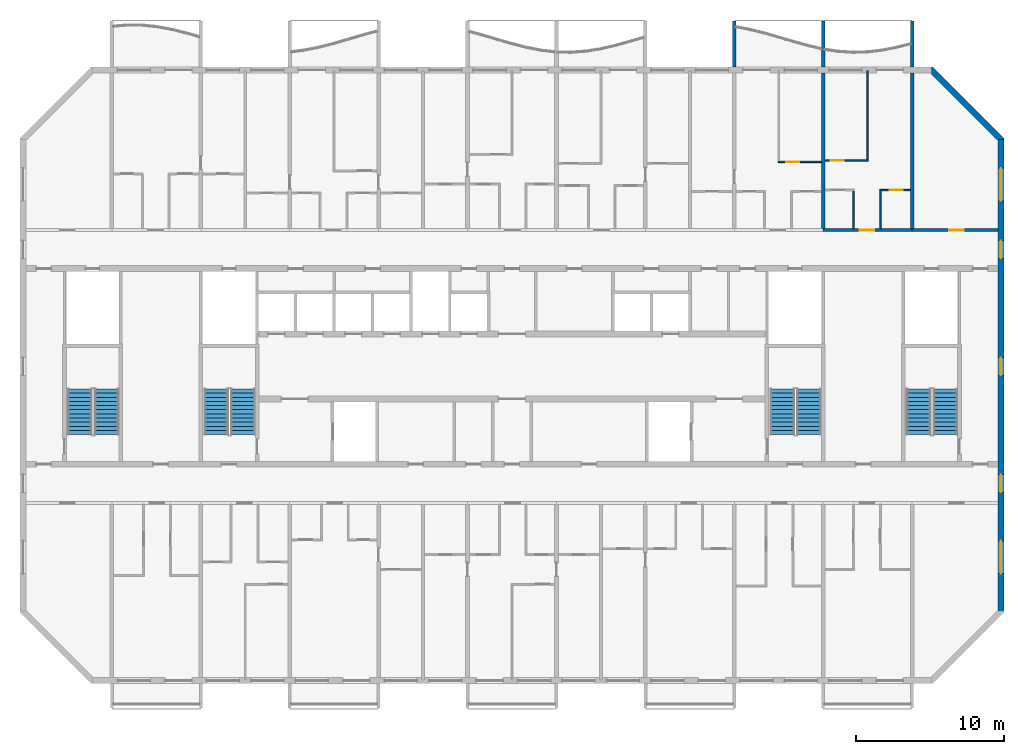
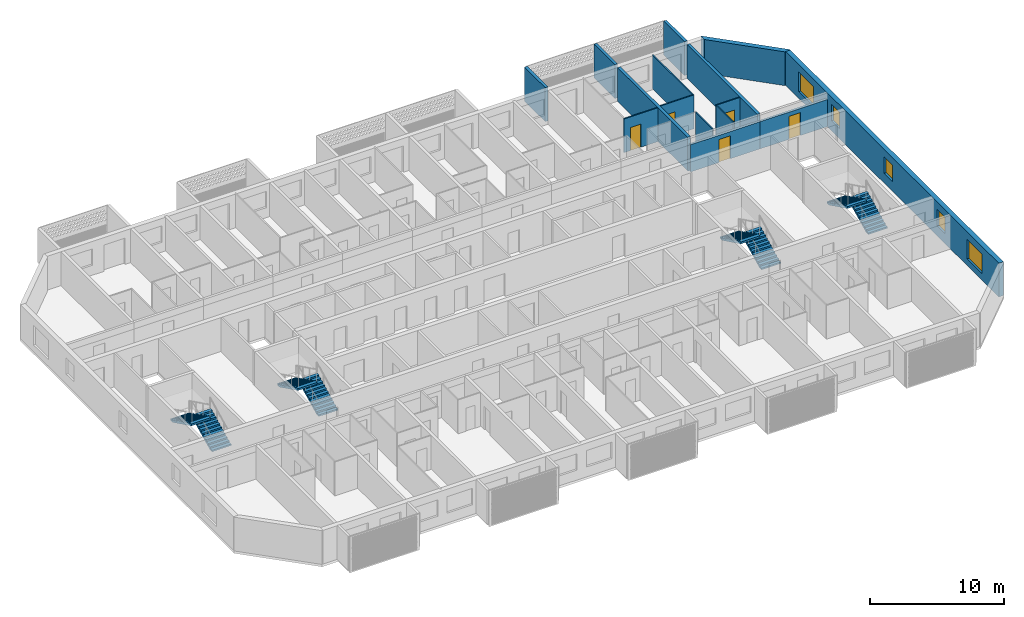
# One storey, part 11 of 26: 15 walls, 8 stair flights, 5 doors, 5 windows, 10 openings, 4 elements without a shape of their own.
"""IFC4 building model written with IfcOpenShell, lengths in metres."""

import ifcopenshell
import ifcopenshell.guid

model = None  # the IFC model being written
_history = None  # IfcOwnerHistory: only IFC2X3 demands one
_inside = {}  # id of a spatial element -> (the spatial element, [elements in it])
_under = {}  # id of a project, library or spatial element -> (it, [spatial elements below it])
_declared = {}  # id of a project -> (the project, [libraries it declares])
_typed = {}  # id of a type object -> (the type object, [elements of that type])
_made_of = {}  # id of a material, layer set ... -> (it, [elements and type objects made of it])


def new_model(schema):
    """Start an empty IFC model of exactly this schema.

    Asked for "IFC4X3", IfcOpenShell would pick the latest addendum, in which some entities
    have other attributes; the version numbers below select the first issue.
    IFC2X3 requires an IfcOwnerHistory on every rooted entity: one is made here for all.
    """
    global model, _history
    if schema == "IFC4X3":
        model = ifcopenshell.file(schema_version=(4, 3, 0, 0))
    else:
        model = ifcopenshell.file(schema=schema)
    _inside.clear()
    _under.clear()
    _declared.clear()
    _typed.clear()
    _made_of.clear()
    _history = None
    if model.schema == "IFC2X3":
        org = make("IfcOrganization", Name="unknown")
        user = make(
            "IfcPersonAndOrganization",
            ThePerson=make("IfcPerson", FamilyName="unknown"),
            TheOrganization=org,
        )
        app = make(
            "IfcApplication",
            ApplicationDeveloper=org,
            Version="unknown",
            ApplicationFullName="unknown",
            ApplicationIdentifier="unknown",
        )
        _history = make(
            "IfcOwnerHistory",
            OwningUser=user,
            OwningApplication=app,
            ChangeAction="ADDED",
            CreationDate=0,
        )
    return model


def make(cls, **values):
    """One entity of the class cls with the attributes given. An attribute that is None is left unset."""
    return model.create_entity(
        cls, **{name: value for name, value in values.items() if value is not None}
    )


def rooted(cls, **values):
    """An entity with a GlobalId (a new one), such as an element, a storey or a relation."""
    return make(cls, GlobalId=ifcopenshell.guid.new(), OwnerHistory=_history, **values)


def si_unit(unit_type, name, prefix=None):
    """IfcSIUnit, for example si_unit("LENGTHUNIT", "METRE", prefix="MILLI")."""
    return make("IfcSIUnit", UnitType=unit_type, Prefix=prefix, Name=name)


def assignment(units):
    """IfcUnitAssignment: the units of a project."""
    return None if units is None else make("IfcUnitAssignment", Units=units)


def point(xyz):
    """IfcCartesianPoint."""
    return None if xyz is None else make("IfcCartesianPoint", Coordinates=xyz)


def direction(xyz):
    """IfcDirection."""
    return None if xyz is None else make("IfcDirection", DirectionRatios=xyz)


def frame(location, z_axis=None, x_axis=None):
    """IfcAxis2Placement3D, a coordinate frame: its origin and axes. An axis left out is left unset."""
    return make(
        "IfcAxis2Placement3D",
        Location=point(location),
        Axis=direction(z_axis),
        RefDirection=direction(x_axis),
    )


def frame_2d(location, x_axis=None):
    """IfcAxis2Placement2D, a coordinate frame in the plane: its origin and x axis."""
    return make(
        "IfcAxis2Placement2D", Location=point(location), RefDirection=direction(x_axis)
    )


def origin():
    """The frame at (0, 0, 0) with its axes left unset."""
    return frame((0.0, 0.0, 0.0))


def place(relative_to, where):
    """IfcLocalPlacement: puts the frame where relative to a parent placement (None: the world)."""
    return make(
        "IfcLocalPlacement", PlacementRelTo=relative_to, RelativePlacement=where
    )


def context(
    kind, dimensions, precision=None, world=None, true_north=None, identifier=None
):
    """IfcGeometricRepresentationContext, for example the 3D "Model" context."""
    return make(
        "IfcGeometricRepresentationContext",
        ContextIdentifier=identifier,
        ContextType=kind,
        CoordinateSpaceDimension=dimensions,
        Precision=precision,
        WorldCoordinateSystem=world,
        TrueNorth=true_north,
    )


def subcontext(parent, identifier, kind, view, scale=None):
    """IfcGeometricRepresentationSubContext, for example "Body" below "Model"."""
    return make(
        "IfcGeometricRepresentationSubContext",
        ContextIdentifier=identifier,
        ContextType=kind,
        ParentContext=parent,
        TargetScale=scale,
        TargetView=view,
    )


def project(units=None, contexts=None):
    """IfcProject with its units and contexts."""
    return rooted(
        "IfcProject",
        Name="project",
        RepresentationContexts=contexts,
        UnitsInContext=assignment(units),
    )


def spatial(cls, under=None, at=None, **own):
    """A site, building, storey or space (cls), placed at a placement, below another one or the project."""
    s = rooted(cls, ObjectPlacement=at, **own)
    if under is not None:
        _under.setdefault(under.id(), (under, []))[1].append(s)
    return s


def polyline(points):
    """IfcPolyline through the points."""
    return make("IfcPolyline", Points=[point(p) for p in points])


def profile(cls, at=None, kind="AREA", **sizes):
    """A parametric profile (cls). Its sizes go by their IFC names, for example OverallWidth=200.0."""
    return make(cls, ProfileType=kind, Position=at, **sizes)


def rectangle(**sizes):
    """IfcRectangleProfileDef."""
    return profile("IfcRectangleProfileDef", **sizes)


def outline(outer, holes=None, kind="AREA"):
    """IfcArbitraryClosedProfileDef: a profile drawn as a closed curve; with holes, ...WithVoids."""
    if holes is None:
        return make("IfcArbitraryClosedProfileDef", ProfileType=kind, OuterCurve=outer)
    return make(
        "IfcArbitraryProfileDefWithVoids",
        ProfileType=kind,
        OuterCurve=outer,
        InnerCurves=holes,
    )


def extrude(swept, where, along, depth):
    """IfcExtrudedAreaSolid: the profile swept, set in the frame where, extruded along a direction by depth."""
    return make(
        "IfcExtrudedAreaSolid",
        SweptArea=swept,
        Position=where,
        ExtrudedDirection=direction(along),
        Depth=depth,
    )


def shape(context_of_items, identifier, shape_type, items):
    """IfcShapeRepresentation: the items that make up one representation, for example the "Body"."""
    return make(
        "IfcShapeRepresentation",
        ContextOfItems=context_of_items,
        RepresentationIdentifier=identifier,
        RepresentationType=shape_type,
        Items=items,
    )


def source(mapping_origin, context_of_items, identifier, shape_type, items):
    """IfcRepresentationMap: a shape defined once, which mapped items show again and again."""
    return make(
        "IfcRepresentationMap",
        MappingOrigin=mapping_origin,
        MappedRepresentation=shape(context_of_items, identifier, shape_type, items),
    )


def transform(
    local_origin,
    x_axis=None,
    y_axis=None,
    z_axis=None,
    scale=None,
    scale2=None,
    scale3=None,
    uniform=True,
):
    """IfcCartesianTransformationOperator3D, or its non-uniform kind. x_axis, y_axis, z_axis: its Axis1, 2, 3."""
    if uniform:
        return make(
            "IfcCartesianTransformationOperator3D",
            Axis1=direction(x_axis),
            Axis2=direction(y_axis),
            LocalOrigin=point(local_origin),
            Scale=scale,
            Axis3=direction(z_axis),
        )
    return make(
        "IfcCartesianTransformationOperator3DnonUniform",
        Axis1=direction(x_axis),
        Axis2=direction(y_axis),
        LocalOrigin=point(local_origin),
        Scale=scale,
        Axis3=direction(z_axis),
        Scale2=scale2,
        Scale3=scale3,
    )


def mapped(mapping_source, mapping_target):
    """IfcMappedItem: shows the shape of a source again, moved by a transform."""
    return make(
        "IfcMappedItem", MappingSource=mapping_source, MappingTarget=mapping_target
    )


def material(Name=None, Category=None):
    """IfcMaterial."""
    return make("IfcMaterial", Name=Name, Category=Category)


def layer(
    of_material, thickness, ventilated=None, Name=None, Category=None, Priority=None
):
    """IfcMaterialLayer: one layer of a wall or slab, of a material (None: an air gap)."""
    return make(
        "IfcMaterialLayer",
        Material=of_material,
        LayerThickness=thickness,
        IsVentilated=ventilated,
        Name=Name,
        Category=Category,
        Priority=Priority,
    )


def layer_set(layers, Name=None):
    """IfcMaterialLayerSet."""
    return make("IfcMaterialLayerSet", MaterialLayers=layers, LayerSetName=Name)


def made_of(thing, what):
    """Note that an element or type object is made of a material, layer set ...; save() writes the relation."""
    if what is not None:
        _made_of.setdefault(what.id(), (what, []))[1].append(thing)
    return thing


def type_object(cls, material=None, **own):
    """A type object (cls), such as IfcWallType, which elements share."""
    return made_of(rooted(cls, **own), material)


def element(
    cls,
    number,
    at=None,
    inside=None,
    cuts=None,
    type_object=None,
    material=None,
    context=None,
    identifier="Body",
    shape_type=None,
    held_by="IfcProductDefinitionShape",
    body=None,
    shapes=None,
    **own,
):
    """One element of the class cls, such as IfcWall. Its Tag is "e" and its number.

    at: its placement. inside: the storey or other place that contains it. cuts: it is an
    opening in that element (IfcRelVoidsElement). A single representation is given by context,
    identifier, shape_type and body (its items); several are given by shapes. held_by: the class
    of the entity that holds the representations. save() writes the other relations.
    """
    e = rooted(cls, Tag="e%d" % number, ObjectPlacement=at, **own)
    if body is not None:
        shapes = [shape(context, identifier, shape_type, body)]
    if shapes is not None:
        e.Representation = make(held_by, Representations=shapes)
    if inside is not None:
        _inside.setdefault(inside.id(), (inside, []))[1].append(e)
    if cuts is not None:
        rooted(
            "IfcRelVoidsElement", RelatingBuildingElement=cuts, RelatedOpeningElement=e
        )
    if type_object is not None:
        _typed.setdefault(type_object.id(), (type_object, []))[1].append(e)
    return made_of(e, material)


def fill(opening, filler):
    """IfcRelFillsElement: the door or window that sits in an opening."""
    return rooted(
        "IfcRelFillsElement",
        RelatingOpeningElement=opening,
        RelatedBuildingElement=filler,
    )


def aggregate(whole, parts):
    """IfcRelAggregates: a whole, such as a stair, and the parts it consists of."""
    return rooted("IfcRelAggregates", RelatingObject=whole, RelatedObjects=parts)


def save(model, path):
    """Write the relations noted so far, then the file.

    IfcRelAggregates (storeys below a building ...), IfcRelContainedInSpatialStructure (elements
    in a storey), IfcRelDefinesByType, IfcRelAssociatesMaterial and IfcRelDeclares: one each for
    every whole, place, type object, material and project.
    """
    for whole, parts in _under.values():
        aggregate(whole, parts)
    for where, things in _inside.values():
        rooted(
            "IfcRelContainedInSpatialStructure",
            RelatedElements=things,
            RelatingStructure=where,
        )
    for kind, things in _typed.values():
        rooted("IfcRelDefinesByType", RelatedObjects=things, RelatingType=kind)
    for what, things in _made_of.values():
        rooted("IfcRelAssociatesMaterial", RelatedObjects=things, RelatingMaterial=what)
    for by, libraries in _declared.values():
        rooted("IfcRelDeclares", RelatingContext=by, RelatedDefinitions=libraries)
    model.write(path)


model = new_model("IFC4")

# Units and contexts
model_context = context("Model", 3, precision=1e-05, world=origin(), true_north=direction((0.0, 1.0)))
body_context = subcontext(model_context, "Body", "Model", "MODEL_VIEW")
ifc_project = project(units=[si_unit("LENGTHUNIT", "METRE"), si_unit("AREAUNIT", "SQUARE_METRE"), si_unit("VOLUMEUNIT", "CUBIC_METRE"), si_unit("PLANEANGLEUNIT", "RADIAN"), si_unit("MASSUNIT", "GRAM", prefix="KILO")], contexts=[model_context])

# Site, building, storey
site_placement = place(None, origin())
site = spatial("IfcSite", under=ifc_project, at=site_placement, CompositionType="ELEMENT")
building_placement = place(site_placement, origin())
building = spatial("IfcBuilding", under=site, at=building_placement, Name="Poui Terraces", CompositionType="ELEMENT")
storey_placement = place(building_placement, frame((0.0, 0.0, 178.5)))
storey = spatial("IfcBuildingStorey", under=building, at=storey_placement, Name="L49", CompositionType="ELEMENT", Elevation=178.5)

# Wall, opening, door
ifc_material_1 = material(Name="Concrete 50 MPa", Category="concrete")
ifc_layer_1 = layer(ifc_material_1, 0.199951171875)
ifc_layer_set_1 = layer_set([ifc_layer_1], Name="Concrete 50 MPa")
wall_type_1 = type_object("IfcWallType", Name="CORRIDOR WALL 200 50MPa", PredefinedType="SHEAR", material=ifc_layer_set_1)
wall_1_placement = place(storey_placement, frame((72.0, 30.39990234375, 0.0), z_axis=(0.0, 0.0, 1.0), x_axis=(1.0, 0.0, 0.0)))
wall_1 = element("IfcWall", 1, at=wall_1_placement, inside=storey, type_object=wall_type_1, Name="CORRIDOR WALL LINE E BAY 10", PredefinedType="SHEAR", context=body_context, shape_type="SweptSolid", body=[
    extrude(rectangle(XDim=6.0, YDim=0.199951171875, at=frame_2d((3.0, 0.0))), origin(), (0.0, 0.0, 1.0), 2.47998046875),
])
opening_1_placement = place(wall_1_placement, frame((2.449951171875, 0.0, 0.0)))
opening_1 = element("IfcOpeningElement", 2, at=opening_1_placement, cuts=wall_1, Name="Opening FD30S", PredefinedType="OPENING", context=body_context, shape_type="SweptSolid", body=[
    extrude(rectangle(XDim=1.0, YDim=2.10009765625, at=frame_2d((0.5, 1.050048828125))), frame((0.0, 0.10986328125, 0.0), z_axis=(0.0, -1.0, 0.0), x_axis=(1.0, 0.0, 0.0)), (0.0, 0.0, 1.0), 0.219970703125),
])
ifc_material_2 = material(Name="Steel fire door", Category="steel")
door_type_1 = type_object("IfcDoorType", Name="FLAT ENTRANCE DOOR 1000 X 2100", OperationType="NOTDEFINED", PredefinedType="DOOR", material=ifc_material_2)
door_1_placement = place(opening_1_placement, origin())
door_1 = element("IfcDoor", 3, at=door_1_placement, inside=storey, type_object=door_type_1, Name="FLAT ENTRANCE DOOR 059", OperationType="SINGLE_SWING_LEFT", OverallHeight=2.10009765625, OverallWidth=1.0, PredefinedType="DOOR", context=body_context, shape_type="SweptSolid", body=[
    extrude(rectangle(XDim=1.0, YDim=2.10009765625, at=frame_2d((0.5, 1.050048828125))), frame((0.0, 0.02490234375, 0.0), z_axis=(0.0, -1.0, 0.0), x_axis=(1.0, 0.0, 0.0)), (0.0, 0.0, 1.0), 0.050048828125),
])
fill(opening_1, door_1)

wall_2_placement = place(storey_placement, frame((78.0, 30.39990234375, 0.0), z_axis=(0.0, 0.0, 1.0), x_axis=(1.0, 0.0, 0.0)))
wall_2 = element("IfcWall", 4, at=wall_2_placement, inside=storey, type_object=wall_type_1, Name="CORRIDOR WALL LINE E BAY 11", PredefinedType="SHEAR", context=body_context, shape_type="SweptSolid", body=[
    extrude(rectangle(XDim=5.800048828125, YDim=0.199951171875, at=frame_2d((2.89990234375, 0.0))), origin(), (0.0, 0.0, 1.0), 2.47998046875),
])
opening_2_placement = place(wall_2_placement, frame((2.5, 0.0, 0.0)))
opening_2 = element("IfcOpeningElement", 5, at=opening_2_placement, cuts=wall_2, Name="Opening D100", PredefinedType="OPENING", context=body_context, shape_type="SweptSolid", body=[
    extrude(rectangle(XDim=1.0, YDim=2.10009765625, at=frame_2d((0.5, 1.050048828125))), frame((0.0, 0.10986328125, 0.0), z_axis=(0.0, -1.0, 0.0), x_axis=(1.0, 0.0, 0.0)), (0.0, 0.0, 1.0), 0.219970703125),
])
ifc_material_3 = material(Name="Solid core timber door", Category="wood")
door_type_2 = type_object("IfcDoorType", Name="ACCESSIBLE INTERNAL DOOR 1000 X 2100", OperationType="NOTDEFINED", PredefinedType="DOOR", material=ifc_material_3)
door_2_placement = place(opening_2_placement, origin())
door_2 = element("IfcDoor", 6, at=door_2_placement, inside=storey, type_object=door_type_2, Name="ACCESSIBLE INTERNAL DOOR 061", OperationType="SINGLE_SWING_LEFT", OverallHeight=2.10009765625, OverallWidth=1.0, PredefinedType="DOOR", context=body_context, shape_type="SweptSolid", body=[
    extrude(rectangle(XDim=1.0, YDim=2.10009765625, at=frame_2d((0.5, 1.050048828125))), frame((0.0, 0.02490234375, 0.0), z_axis=(0.0, -1.0, 0.0), x_axis=(1.0, 0.0, 0.0)), (0.0, 0.0, 1.0), 0.050048828125),
])
fill(opening_2, door_2)

# Walls
ifc_layer_2 = layer(ifc_material_1, 0.25)
ifc_layer_set_2 = layer_set([ifc_layer_2], Name="Concrete 50 MPa")
wall_type_2 = type_object("IfcWallType", Name="CROSS WALL 250 50MPa", PredefinedType="SHEAR", material=ifc_layer_set_2)
for number, where, z_axis, x_axis, name in (
    (7, (72.0, 30.5, 0.0), (0.0, 0.0, 1.0), (0.0, 1.0, 0.0), "CROSS WALL LINE 13 NORTH"),
    (8, (78.0, 30.5, 0.0), (0.0, 0.0, 1.0), (0.0, 1.0, 0.0), "CROSS WALL LINE 14 NORTH"),
):
    element("IfcWall", number, at=place(storey_placement, frame(where, z_axis=z_axis, x_axis=x_axis)), inside=storey, type_object=wall_type_2, Name=name, PredefinedType="SHEAR", context=body_context, shape_type="SweptSolid", body=[
        extrude(rectangle(XDim=10.5, YDim=0.25, at=frame_2d((5.25, 0.0))), origin(), (0.0, 0.0, 1.0), 3.080078125),
    ])

# Wall, openings, windows
ifc_layer_3 = layer(ifc_material_1, 0.39990234375)
ifc_layer_set_3 = layer_set([ifc_layer_3], Name="Concrete 50 MPa")
wall_type_3 = type_object("IfcWallType", Name="END WALL 400 50MPa", PredefinedType="SHEAR", material=ifc_layer_set_3)
wall_3_placement = place(storey_placement, frame((84.0, 4.682861328125, 0.0), z_axis=(0.0, 0.0, 1.0), x_axis=(0.0, 1.0, 0.0)))
wall_3 = element("IfcWall", 9, at=wall_3_placement, inside=storey, type_object=wall_type_3, Name="END WALL EAST", PredefinedType="SHEAR", context=body_context, shape_type="SweptSolid", body=[
    extrude(rectangle(XDim=31.834228515625, YDim=0.39990234375, at=frame_2d((15.9169921875, 0.0))), origin(), (0.0, 0.0, 1.0), 3.080078125),
])
opening_3_placement = place(wall_3_placement, frame((23.817138671875, 0.0, 0.89990234375)))
opening_3 = element("IfcOpeningElement", 10, at=opening_3_placement, cuts=wall_3, Name="Opening W2", PredefinedType="OPENING", context=body_context, shape_type="SweptSolid", body=[
    extrude(rectangle(XDim=1.199951171875, YDim=1.5, at=frame_2d((0.60009765625, 0.75))), frame((0.0, 0.2099609375, 0.0), z_axis=(0.0, -1.0, 0.0), x_axis=(1.0, 0.0, 0.0)), (0.0, 0.0, 1.0), 0.419921875),
])
opening_4_placement = place(wall_3_placement, frame((8.01708984375, 0.0, 0.89990234375)))
opening_4 = element("IfcOpeningElement", 11, at=opening_4_placement, cuts=wall_3, Name="Opening W2", PredefinedType="OPENING", context=body_context, shape_type="SweptSolid", body=[
    extrude(rectangle(XDim=1.199951171875, YDim=1.5, at=frame_2d((0.60009765625, 0.75))), frame((0.0, 0.2099609375, 0.0), z_axis=(0.0, -1.0, 0.0), x_axis=(1.0, 0.0, 0.0)), (0.0, 0.0, 1.0), 0.419921875),
])
opening_5_placement = place(wall_3_placement, frame((27.693603515625, 0.0, 0.60009765625)))
opening_5 = element("IfcOpeningElement", 12, at=opening_5_placement, cuts=wall_3, Name="Opening W3", PredefinedType="OPENING", context=body_context, shape_type="SweptSolid", body=[
    extrude(rectangle(XDim=2.199951171875, YDim=1.800048828125, at=frame_2d((1.10009765625, 0.89990234375))), frame((0.0, 0.2099609375, 0.0), z_axis=(0.0, -1.0, 0.0), x_axis=(1.0, 0.0, 0.0)), (0.0, 0.0, 1.0), 0.419921875),
])
opening_6_placement = place(wall_3_placement, frame((2.541015625, 0.0, 0.60009765625)))
opening_6 = element("IfcOpeningElement", 13, at=opening_6_placement, cuts=wall_3, Name="Opening W3", PredefinedType="OPENING", context=body_context, shape_type="SweptSolid", body=[
    extrude(rectangle(XDim=2.199951171875, YDim=1.800048828125, at=frame_2d((1.10009765625, 0.89990234375))), frame((0.0, 0.2099609375, 0.0), z_axis=(0.0, -1.0, 0.0), x_axis=(1.0, 0.0, 0.0)), (0.0, 0.0, 1.0), 0.419921875),
])
opening_7_placement = place(wall_3_placement, frame((15.917236328125, 0.0, 0.89990234375)))
opening_7 = element("IfcOpeningElement", 14, at=opening_7_placement, cuts=wall_3, Name="Opening W2", PredefinedType="OPENING", context=body_context, shape_type="SweptSolid", body=[
    extrude(rectangle(XDim=1.199951171875, YDim=1.5, at=frame_2d((0.60009765625, 0.75))), frame((0.0, 0.2099609375, 0.0), z_axis=(0.0, -1.0, 0.0), x_axis=(1.0, 0.0, 0.0)), (0.0, 0.0, 1.0), 0.419921875),
])
ifc_material_4 = material(Name="Clear glass in aluminium frame", Category="aluminium")
window_type_1 = type_object("IfcWindowType", Name="WINDOW 1200X1500", PartitioningType="SINGLE_PANEL", PredefinedType="WINDOW", material=ifc_material_4)
window_1_placement = place(opening_3_placement, origin())
window_1 = element("IfcWindow", 15, at=window_1_placement, inside=storey, type_object=window_type_1, Name="W2 WINDOW", OverallHeight=1.5, OverallWidth=1.199951171875, PartitioningType="SINGLE_PANEL", PredefinedType="WINDOW", context=body_context, shape_type="SweptSolid", body=[
    extrude(rectangle(XDim=1.199951171875, YDim=1.5, at=frame_2d((0.60009765625, 0.75))), frame((0.0, 0.030029296875, 0.0), z_axis=(0.0, -1.0, 0.0), x_axis=(1.0, 0.0, 0.0)), (0.0, 0.0, 1.0), 0.06005859375),
])
fill(opening_3, window_1)
window_2_placement = place(opening_4_placement, origin())
window_2 = element("IfcWindow", 16, at=window_2_placement, inside=storey, type_object=window_type_1, Name="W2 WINDOW", OverallHeight=1.5, OverallWidth=1.199951171875, PartitioningType="SINGLE_PANEL", PredefinedType="WINDOW", context=body_context, shape_type="SweptSolid", body=[
    extrude(rectangle(XDim=1.199951171875, YDim=1.5, at=frame_2d((0.60009765625, 0.75))), frame((0.0, 0.030029296875, 0.0), z_axis=(0.0, -1.0, 0.0), x_axis=(1.0, 0.0, 0.0)), (0.0, 0.0, 1.0), 0.06005859375),
])
fill(opening_4, window_2)
window_3_placement = place(opening_7_placement, origin())
window_3 = element("IfcWindow", 17, at=window_3_placement, inside=storey, type_object=window_type_1, Name="W2 WINDOW", OverallHeight=1.5, OverallWidth=1.199951171875, PartitioningType="SINGLE_PANEL", PredefinedType="WINDOW", context=body_context, shape_type="SweptSolid", body=[
    extrude(rectangle(XDim=1.199951171875, YDim=1.5, at=frame_2d((0.60009765625, 0.75))), frame((0.0, 0.030029296875, 0.0), z_axis=(0.0, -1.0, 0.0), x_axis=(1.0, 0.0, 0.0)), (0.0, 0.0, 1.0), 0.06005859375),
])
fill(opening_7, window_3)
window_type_2 = type_object("IfcWindowType", Name="WINDOW 2200X1800", PartitioningType="DOUBLE_PANEL_HORIZONTAL", PredefinedType="WINDOW", material=ifc_material_4)
window_4_placement = place(opening_5_placement, origin())
window_4 = element("IfcWindow", 18, at=window_4_placement, inside=storey, type_object=window_type_2, Name="W3 WINDOW", OverallHeight=1.800048828125, OverallWidth=2.199951171875, PartitioningType="DOUBLE_PANEL_HORIZONTAL", PredefinedType="WINDOW", context=body_context, shape_type="SweptSolid", body=[
    extrude(rectangle(XDim=2.199951171875, YDim=1.800048828125, at=frame_2d((1.10009765625, 0.89990234375))), frame((0.0, 0.030029296875, 0.0), z_axis=(0.0, -1.0, 0.0), x_axis=(1.0, 0.0, 0.0)), (0.0, 0.0, 1.0), 0.06005859375),
])
fill(opening_5, window_4)
window_5_placement = place(opening_6_placement, origin())
window_5 = element("IfcWindow", 19, at=window_5_placement, inside=storey, type_object=window_type_2, Name="W3 WINDOW", OverallHeight=1.800048828125, OverallWidth=2.199951171875, PartitioningType="DOUBLE_PANEL_HORIZONTAL", PredefinedType="WINDOW", context=body_context, shape_type="SweptSolid", body=[
    extrude(rectangle(XDim=2.199951171875, YDim=1.800048828125, at=frame_2d((1.10009765625, 0.89990234375))), frame((0.0, 0.030029296875, 0.0), z_axis=(0.0, -1.0, 0.0), x_axis=(1.0, 0.0, 0.0)), (0.0, 0.0, 1.0), 0.06005859375),
])
fill(opening_6, window_5)

# Wall, opening, door
ifc_material_5 = material(Name="Plasterboard partition")
ifc_layer_4 = layer(ifc_material_5, 0.10009765625)
ifc_layer_set_4 = layer_set([ifc_layer_4], Name="Plasterboard partition")
wall_type_4 = type_object("IfcWallType", Name="FLAT PARTITION 100", PredefinedType="PARTITIONING", material=ifc_layer_set_4)
wall_4_placement = place(storey_placement, frame((75.800048828125, 33.10009765625, 0.0), z_axis=(0.0, 0.0, 1.0), x_axis=(1.0, 0.0, 0.0)))
wall_4 = element("IfcWall", 20, at=wall_4_placement, inside=storey, type_object=wall_type_4, Name="FLAT PARTITION 100", PredefinedType="PARTITIONING", context=body_context, shape_type="SweptSolid", body=[
    extrude(rectangle(XDim=2.06494140625, YDim=0.10009765625, at=frame_2d((1.032470703125, 0.0))), origin(), (0.0, 0.0, 1.0), 3.080078125),
])
opening_8_placement = place(wall_4_placement, frame((0.675048828125, 0.0, 0.0)))
opening_8 = element("IfcOpeningElement", 21, at=opening_8_placement, cuts=wall_4, Name="Opening D90", PredefinedType="OPENING", context=body_context, shape_type="SweptSolid", body=[
    extrude(rectangle(XDim=0.89990234375, YDim=2.10009765625, at=frame_2d((0.449951171875, 1.050048828125))), frame((0.0, 0.06005859375, 0.0), z_axis=(0.0, -1.0, 0.0), x_axis=(1.0, 0.0, 0.0)), (0.0, 0.0, 1.0), 0.1201171875),
])
door_type_3 = type_object("IfcDoorType", Name="INTERNAL DOOR 900 X 2100", OperationType="NOTDEFINED", PredefinedType="DOOR", material=ifc_material_3)
door_3_placement = place(opening_8_placement, frame((0.89990234375, 0.0, 0.0), z_axis=(0.0, 0.0, 1.0), x_axis=(-1.0, 0.0, 0.0)))
door_3 = element("IfcDoor", 22, at=door_3_placement, inside=storey, type_object=door_type_3, Name="INTERNAL DOOR 060", OperationType="SINGLE_SWING_LEFT", OverallHeight=2.10009765625, OverallWidth=0.89990234375, PredefinedType="DOOR", context=body_context, shape_type="SweptSolid", body=[
    extrude(rectangle(XDim=0.89990234375, YDim=2.10009765625, at=frame_2d((0.449951171875, 1.050048828125))), frame((0.0, 0.02490234375, 0.0), z_axis=(0.0, -1.0, 0.0), x_axis=(1.0, 0.0, 0.0)), (0.0, 0.0, 1.0), 0.050048828125),
])
fill(opening_8, door_3)

wall_5_placement = place(storey_placement, frame((68.949951171875, 35.0, 0.0), z_axis=(0.0, 0.0, 1.0), x_axis=(1.0, 0.0, 0.0)))
wall_5 = element("IfcWall", 23, at=wall_5_placement, inside=storey, type_object=wall_type_4, Name="FLAT PARTITION 100", PredefinedType="PARTITIONING", context=body_context, shape_type="SweptSolid", body=[
    extrude(rectangle(XDim=2.9150390625, YDim=0.10009765625, at=frame_2d((1.45751953125, 0.0))), origin(), (0.0, 0.0, 1.0), 3.080078125),
])
opening_9_placement = place(wall_5_placement, frame((0.550048828125, 0.0, 0.0)))
opening_9 = element("IfcOpeningElement", 24, at=opening_9_placement, cuts=wall_5, Name="Opening D90", PredefinedType="OPENING", context=body_context, shape_type="SweptSolid", body=[
    extrude(rectangle(XDim=0.89990234375, YDim=2.10009765625, at=frame_2d((0.449951171875, 1.050048828125))), frame((0.0, 0.06005859375, 0.0), z_axis=(0.0, -1.0, 0.0), x_axis=(1.0, 0.0, 0.0)), (0.0, 0.0, 1.0), 0.1201171875),
])
door_4_placement = place(opening_9_placement, frame((0.89990234375, 0.0, 0.0), z_axis=(0.0, 0.0, 1.0), x_axis=(-1.0, 0.0, 0.0)))
door_4 = element("IfcDoor", 25, at=door_4_placement, inside=storey, type_object=door_type_3, Name="INTERNAL DOOR 055", OperationType="SINGLE_SWING_LEFT", OverallHeight=2.10009765625, OverallWidth=0.89990234375, PredefinedType="DOOR", context=body_context, shape_type="SweptSolid", body=[
    extrude(rectangle(XDim=0.89990234375, YDim=2.10009765625, at=frame_2d((0.449951171875, 1.050048828125))), frame((0.0, 0.02490234375, 0.0), z_axis=(0.0, -1.0, 0.0), x_axis=(1.0, 0.0, 0.0)), (0.0, 0.0, 1.0), 0.050048828125),
])
fill(opening_9, door_4)

wall_6_placement = place(storey_placement, frame((72.135009765625, 35.10009765625, 0.0), z_axis=(0.0, 0.0, 1.0), x_axis=(1.0, 0.0, 0.0)))
wall_6 = element("IfcWall", 26, at=wall_6_placement, inside=storey, type_object=wall_type_4, Name="FLAT PARTITION 100", PredefinedType="PARTITIONING", context=body_context, shape_type="SweptSolid", body=[
    extrude(rectangle(XDim=2.9150390625, YDim=0.10009765625, at=frame_2d((1.45751953125, 0.0))), origin(), (0.0, 0.0, 1.0), 3.080078125),
])
opening_10_placement = place(wall_6_placement, frame((0.364990234375, 0.0, 0.0)))
opening_10 = element("IfcOpeningElement", 27, at=opening_10_placement, cuts=wall_6, Name="Opening D90", PredefinedType="OPENING", context=body_context, shape_type="SweptSolid", body=[
    extrude(rectangle(XDim=0.89990234375, YDim=2.10009765625, at=frame_2d((0.449951171875, 1.050048828125))), frame((0.0, 0.06005859375, 0.0), z_axis=(0.0, -1.0, 0.0), x_axis=(1.0, 0.0, 0.0)), (0.0, 0.0, 1.0), 0.1201171875),
])
door_5_placement = place(opening_10_placement, frame((0.89990234375, 0.0, 0.0), z_axis=(0.0, 0.0, 1.0), x_axis=(-1.0, 0.0, 0.0)))
door_5 = element("IfcDoor", 28, at=door_5_placement, inside=storey, type_object=door_type_3, Name="INTERNAL DOOR 057", OperationType="SINGLE_SWING_LEFT", OverallHeight=2.10009765625, OverallWidth=0.89990234375, PredefinedType="DOOR", context=body_context, shape_type="SweptSolid", body=[
    extrude(rectangle(XDim=0.89990234375, YDim=2.10009765625, at=frame_2d((0.449951171875, 1.050048828125))), frame((0.0, 0.02490234375, 0.0), z_axis=(0.0, -1.0, 0.0), x_axis=(1.0, 0.0, 0.0)), (0.0, 0.0, 1.0), 0.050048828125),
])
fill(opening_10, door_5)

# Walls
wall_7_placement = place(storey_placement, frame((74.050048828125, 30.510009765625, 0.0), z_axis=(0.0, 0.0, 1.0), x_axis=(0.0, 1.0, 0.0)))
element("IfcWall", 29, at=wall_7_placement, inside=storey, type_object=wall_type_4, Name="FLAT PARTITION 100", PredefinedType="PARTITIONING", context=body_context, shape_type="SweptSolid", body=[
    extrude(rectangle(XDim=2.5400390625, YDim=0.10009765625, at=frame_2d((1.27001953125, 0.0))), origin(), (0.0, 0.0, 1.0), 3.080078125),
])
wall_8_placement = place(storey_placement, frame((75.0, 35.14990234375, 0.0), z_axis=(0.0, 0.0, 1.0), x_axis=(0.0, 1.0, 0.0)))
element("IfcWall", 30, at=wall_8_placement, inside=storey, type_object=wall_type_4, Name="FLAT PARTITION 100", PredefinedType="PARTITIONING", context=body_context, shape_type="SweptSolid", body=[
    extrude(rectangle(XDim=5.989990234375, YDim=0.10009765625, at=frame_2d((2.9951171875, 0.0))), origin(), (0.0, 0.0, 1.0), 3.080078125),
])
wall_9_placement = place(storey_placement, frame((75.85009765625, 30.510009765625, 0.0), z_axis=(0.0, 0.0, 1.0), x_axis=(0.0, 1.0, 0.0)))
element("IfcWall", 31, at=wall_9_placement, inside=storey, type_object=wall_type_4, Name="FLAT PARTITION 100", PredefinedType="PARTITIONING", context=body_context, shape_type="SweptSolid", body=[
    extrude(rectangle(XDim=2.5400390625, YDim=0.10009765625, at=frame_2d((1.27001953125, 0.0))), origin(), (0.0, 0.0, 1.0), 3.080078125),
])
ifc_material_6 = material(Name="Precast concrete 40 MPa", Category="concrete")
ifc_layer_5 = layer(ifc_material_6, 0.39990234375)
ifc_layer_set_5 = layer_set([ifc_layer_5], Name="Precast concrete 40 MPa")
wall_type_5 = type_object("IfcWallType", Name="TERRACOTTA CLAD CHAMFER WALL 400", PredefinedType="STANDARD", material=ifc_layer_set_5)
wall_10_placement = place(storey_placement, origin())
element("IfcWall", 32, at=wall_10_placement, inside=storey, type_object=wall_type_5, Name="CHAMFER WALL CH03", PredefinedType="STANDARD", context=body_context, shape_type="SweptSolid", body=[
    extrude(outline(polyline([(84.199951171875, 36.51708984375), (84.199951171875, 36.60009765625), (79.39990234375, 41.39990234375), (79.317138671875, 41.39990234375), (79.317138671875, 40.917236328125), (83.71728515625, 36.51708984375), (84.199951171875, 36.51708984375)])), origin(), (0.0, 0.0, 1.0), 3.080078125),
])
ifc_layer_6 = layer(ifc_material_6, 0.25)
ifc_layer_set_6 = layer_set([ifc_layer_6], Name="Precast concrete 40 MPa")
wall_type_6 = type_object("IfcWallType", Name="BALCONY FIN 250", PredefinedType="STANDARD", material=ifc_layer_set_6)
shared_shape = source(origin(), body_context, "Body", "SweptSolid", [
    extrude(outline(polyline([(0.0, 0.0), (0.25, 0.0), (0.25, 3.10009765625), (0.0, 3.10009765625), (0.0, 0.0)])), origin(), (0.0, 0.0, 1.0), 3.10009765625),
])
for number, where, name in (
    (33, (65.875, 41.39990234375, 0.0), "BALCONY FIN"),
    (34, (71.875, 41.39990234375, 0.0), "BALCONY FIN"),
    (35, (77.875, 41.39990234375, 0.0), "BALCONY FIN"),
):
    element("IfcWall", number, at=place(storey_placement, frame(where)), inside=storey, type_object=wall_type_6, Name=name, PredefinedType="STANDARD", context=body_context, shape_type="MappedRepresentation", body=[
        mapped(shared_shape, transform((0.0, 0.0, 0.0))),
    ])

# Stair, stair flights
stair_type = type_object("IfcStairType", Name="EXIT STAIR 1650 50 MPA", PredefinedType="HALF_TURN_STAIR", material=ifc_material_1)
stair_1_placement = place(storey_placement, origin())
stair_1 = element("IfcStair", 36, at=stair_1_placement, inside=storey, type_object=stair_type, Name="L49 CORE STAIR EAST", PredefinedType="HALF_TURN_STAIR")
ifc_layer_7 = layer(ifc_material_1, 0.14990234375)
ifc_layer_set_7 = layer_set([ifc_layer_7], Name="Concrete 50 MPa")
stair_flight_type = type_object("IfcStairFlightType", Name="STAIR FLIGHT 12 RISERS 138 RISE 50 MPA", PredefinedType="STRAIGHT", material=ifc_layer_set_7)
stair_flight_1_placement = place(storey_placement, frame((71.050048828125, 16.60009765625, 0.0), z_axis=(0.0, 0.0, 1.0), x_axis=(0.0, 1.0, 0.0)))
stair_flight_1 = element("IfcStairFlight", 37, at=stair_flight_1_placement, type_object=stair_flight_type, Name="ST-CE flight 1", NumberOfRisers=12, NumberOfTreads=11, PredefinedType="STRAIGHT", RiserHeight=0.1375, TreadLength=0.28, context=body_context, shape_type="SweptSolid", body=[
    extrude(outline(polyline([(0.0, 0.0), (0.0, 0.137451171875), (0.280029296875, 0.137451171875), (0.280029296875, 0.27490234375), (0.56005859375, 0.27490234375), (0.56005859375, 0.41259765625), (0.840087890625, 0.41259765625), (0.840087890625, 0.550048828125), (1.1201171875, 0.550048828125), (1.1201171875, 0.6875), (1.39990234375, 0.6875), (1.39990234375, 0.824951171875), (1.679931640625, 0.824951171875), (1.679931640625, 0.96240234375), (1.9599609375, 0.96240234375), (1.9599609375, 1.10009765625), (2.239990234375, 1.10009765625), (2.239990234375, 1.237548828125), (2.52001953125, 1.237548828125), (2.52001953125, 1.375), (2.800048828125, 1.375), (2.800048828125, 1.512451171875), (3.080078125, 1.512451171875), (3.080078125, 1.64990234375), (3.080078125, 1.345458984375), (0.340087890625, 0.0), (0.0, 0.0)])), frame((0.0, 0.824951171875, 0.0), z_axis=(0.0, -1.0, 0.0), x_axis=(1.0, 0.0, 0.0)), (0.0, 0.0, 1.0), 1.64990234375),
])
stair_flight_2_placement = place(storey_placement, frame((69.25, 19.679931640625, 1.64990234375), z_axis=(0.0, 0.0, 1.0), x_axis=(0.0, -1.0, 0.0)))
stair_flight_2 = element("IfcStairFlight", 38, at=stair_flight_2_placement, type_object=stair_flight_type, Name="ST-CE flight 2", NumberOfRisers=12, NumberOfTreads=11, PredefinedType="STRAIGHT", RiserHeight=0.1375, TreadLength=0.28, context=body_context, shape_type="SweptSolid", body=[
    extrude(outline(polyline([(0.0, 0.0), (0.0, 0.137451171875), (0.280029296875, 0.137451171875), (0.280029296875, 0.27490234375), (0.56005859375, 0.27490234375), (0.56005859375, 0.41259765625), (0.840087890625, 0.41259765625), (0.840087890625, 0.550048828125), (1.1201171875, 0.550048828125), (1.1201171875, 0.6875), (1.39990234375, 0.6875), (1.39990234375, 0.824951171875), (1.679931640625, 0.824951171875), (1.679931640625, 0.96240234375), (1.9599609375, 0.96240234375), (1.9599609375, 1.10009765625), (2.239990234375, 1.10009765625), (2.239990234375, 1.237548828125), (2.52001953125, 1.237548828125), (2.52001953125, 1.375), (2.800048828125, 1.375), (2.800048828125, 1.512451171875), (3.080078125, 1.512451171875), (3.080078125, 1.64990234375), (3.080078125, 1.345458984375), (0.340087890625, 0.0), (0.0, 0.0)])), frame((0.0, 0.824951171875, 0.0), z_axis=(0.0, -1.0, 0.0), x_axis=(1.0, 0.0, 0.0)), (0.0, 0.0, 1.0), 1.64990234375),
])
aggregate(stair_1, [stair_flight_1, stair_flight_2])

stair_2_placement = place(storey_placement, origin())
stair_2 = element("IfcStair", 39, at=stair_2_placement, inside=storey, type_object=stair_type, Name="L49 CORE STAIR WEST", PredefinedType="HALF_TURN_STAIR")
stair_flight_3_placement = place(storey_placement, frame((32.85009765625, 16.60009765625, 0.0), z_axis=(0.0, 0.0, 1.0), x_axis=(0.0, 1.0, 0.0)))
stair_flight_3 = element("IfcStairFlight", 40, at=stair_flight_3_placement, type_object=stair_flight_type, Name="ST-CW flight 1", NumberOfRisers=12, NumberOfTreads=11, PredefinedType="STRAIGHT", RiserHeight=0.1375, TreadLength=0.28, context=body_context, shape_type="SweptSolid", body=[
    extrude(outline(polyline([(0.0, 0.0), (0.0, 0.137451171875), (0.280029296875, 0.137451171875), (0.280029296875, 0.27490234375), (0.56005859375, 0.27490234375), (0.56005859375, 0.41259765625), (0.840087890625, 0.41259765625), (0.840087890625, 0.550048828125), (1.1201171875, 0.550048828125), (1.1201171875, 0.6875), (1.39990234375, 0.6875), (1.39990234375, 0.824951171875), (1.679931640625, 0.824951171875), (1.679931640625, 0.96240234375), (1.9599609375, 0.96240234375), (1.9599609375, 1.10009765625), (2.239990234375, 1.10009765625), (2.239990234375, 1.237548828125), (2.52001953125, 1.237548828125), (2.52001953125, 1.375), (2.800048828125, 1.375), (2.800048828125, 1.512451171875), (3.080078125, 1.512451171875), (3.080078125, 1.64990234375), (3.080078125, 1.345458984375), (0.340087890625, 0.0), (0.0, 0.0)])), frame((0.0, 0.824951171875, 0.0), z_axis=(0.0, -1.0, 0.0), x_axis=(1.0, 0.0, 0.0)), (0.0, 0.0, 1.0), 1.64990234375),
])
stair_flight_4_placement = place(storey_placement, frame((31.050048828125, 19.679931640625, 1.64990234375), z_axis=(0.0, 0.0, 1.0), x_axis=(0.0, -1.0, 0.0)))
stair_flight_4 = element("IfcStairFlight", 41, at=stair_flight_4_placement, type_object=stair_flight_type, Name="ST-CW flight 2", NumberOfRisers=12, NumberOfTreads=11, PredefinedType="STRAIGHT", RiserHeight=0.1375, TreadLength=0.28, context=body_context, shape_type="SweptSolid", body=[
    extrude(outline(polyline([(0.0, 0.0), (0.0, 0.137451171875), (0.280029296875, 0.137451171875), (0.280029296875, 0.27490234375), (0.56005859375, 0.27490234375), (0.56005859375, 0.41259765625), (0.840087890625, 0.41259765625), (0.840087890625, 0.550048828125), (1.1201171875, 0.550048828125), (1.1201171875, 0.6875), (1.39990234375, 0.6875), (1.39990234375, 0.824951171875), (1.679931640625, 0.824951171875), (1.679931640625, 0.96240234375), (1.9599609375, 0.96240234375), (1.9599609375, 1.10009765625), (2.239990234375, 1.10009765625), (2.239990234375, 1.237548828125), (2.52001953125, 1.237548828125), (2.52001953125, 1.375), (2.800048828125, 1.375), (2.800048828125, 1.512451171875), (3.080078125, 1.512451171875), (3.080078125, 1.64990234375), (3.080078125, 1.345458984375), (0.340087890625, 0.0), (0.0, 0.0)])), frame((0.0, 0.824951171875, 0.0), z_axis=(0.0, -1.0, 0.0), x_axis=(1.0, 0.0, 0.0)), (0.0, 0.0, 1.0), 1.64990234375),
])
aggregate(stair_2, [stair_flight_3, stair_flight_4])

stair_3_placement = place(storey_placement, origin())
stair_3 = element("IfcStair", 42, at=stair_3_placement, inside=storey, type_object=stair_type, Name="L49 TIP STAIR EAST", PredefinedType="HALF_TURN_STAIR")
stair_flight_5_placement = place(storey_placement, frame((80.25, 16.60009765625, 0.0), z_axis=(0.0, 0.0, 1.0), x_axis=(0.0, 1.0, 0.0)))
stair_flight_5 = element("IfcStairFlight", 43, at=stair_flight_5_placement, type_object=stair_flight_type, Name="ST-E flight 1", NumberOfRisers=12, NumberOfTreads=11, PredefinedType="STRAIGHT", RiserHeight=0.1375, TreadLength=0.28, context=body_context, shape_type="SweptSolid", body=[
    extrude(outline(polyline([(0.0, 0.0), (0.0, 0.137451171875), (0.280029296875, 0.137451171875), (0.280029296875, 0.27490234375), (0.56005859375, 0.27490234375), (0.56005859375, 0.41259765625), (0.840087890625, 0.41259765625), (0.840087890625, 0.550048828125), (1.1201171875, 0.550048828125), (1.1201171875, 0.6875), (1.39990234375, 0.6875), (1.39990234375, 0.824951171875), (1.679931640625, 0.824951171875), (1.679931640625, 0.96240234375), (1.9599609375, 0.96240234375), (1.9599609375, 1.10009765625), (2.239990234375, 1.10009765625), (2.239990234375, 1.237548828125), (2.52001953125, 1.237548828125), (2.52001953125, 1.375), (2.800048828125, 1.375), (2.800048828125, 1.512451171875), (3.080078125, 1.512451171875), (3.080078125, 1.64990234375), (3.080078125, 1.345458984375), (0.340087890625, 0.0), (0.0, 0.0)])), frame((0.0, 0.824951171875, 0.0), z_axis=(0.0, -1.0, 0.0), x_axis=(1.0, 0.0, 0.0)), (0.0, 0.0, 1.0), 1.64990234375),
])
stair_flight_6_placement = place(storey_placement, frame((78.449951171875, 19.679931640625, 1.64990234375), z_axis=(0.0, 0.0, 1.0), x_axis=(0.0, -1.0, 0.0)))
stair_flight_6 = element("IfcStairFlight", 44, at=stair_flight_6_placement, type_object=stair_flight_type, Name="ST-E flight 2", NumberOfRisers=12, NumberOfTreads=11, PredefinedType="STRAIGHT", RiserHeight=0.1375, TreadLength=0.28, context=body_context, shape_type="SweptSolid", body=[
    extrude(outline(polyline([(0.0, 0.0), (0.0, 0.137451171875), (0.280029296875, 0.137451171875), (0.280029296875, 0.27490234375), (0.56005859375, 0.27490234375), (0.56005859375, 0.41259765625), (0.840087890625, 0.41259765625), (0.840087890625, 0.550048828125), (1.1201171875, 0.550048828125), (1.1201171875, 0.6875), (1.39990234375, 0.6875), (1.39990234375, 0.824951171875), (1.679931640625, 0.824951171875), (1.679931640625, 0.96240234375), (1.9599609375, 0.96240234375), (1.9599609375, 1.10009765625), (2.239990234375, 1.10009765625), (2.239990234375, 1.237548828125), (2.52001953125, 1.237548828125), (2.52001953125, 1.375), (2.800048828125, 1.375), (2.800048828125, 1.512451171875), (3.080078125, 1.512451171875), (3.080078125, 1.64990234375), (3.080078125, 1.345458984375), (0.340087890625, 0.0), (0.0, 0.0)])), frame((0.0, 0.824951171875, 0.0), z_axis=(0.0, -1.0, 0.0), x_axis=(1.0, 0.0, 0.0)), (0.0, 0.0, 1.0), 1.64990234375),
])
aggregate(stair_3, [stair_flight_5, stair_flight_6])

stair_4_placement = place(storey_placement, origin())
stair_4 = element("IfcStair", 45, at=stair_4_placement, inside=storey, type_object=stair_type, Name="L49 TIP STAIR WEST", PredefinedType="HALF_TURN_STAIR")
stair_flight_7_placement = place(storey_placement, frame((23.64990234375, 16.60009765625, 0.0), z_axis=(0.0, 0.0, 1.0), x_axis=(0.0, 1.0, 0.0)))
stair_flight_7 = element("IfcStairFlight", 46, at=stair_flight_7_placement, type_object=stair_flight_type, Name="ST-W flight 1", NumberOfRisers=12, NumberOfTreads=11, PredefinedType="STRAIGHT", RiserHeight=0.1375, TreadLength=0.28, context=body_context, shape_type="SweptSolid", body=[
    extrude(outline(polyline([(0.0, 0.0), (0.0, 0.137451171875), (0.280029296875, 0.137451171875), (0.280029296875, 0.27490234375), (0.56005859375, 0.27490234375), (0.56005859375, 0.41259765625), (0.840087890625, 0.41259765625), (0.840087890625, 0.550048828125), (1.1201171875, 0.550048828125), (1.1201171875, 0.6875), (1.39990234375, 0.6875), (1.39990234375, 0.824951171875), (1.679931640625, 0.824951171875), (1.679931640625, 0.96240234375), (1.9599609375, 0.96240234375), (1.9599609375, 1.10009765625), (2.239990234375, 1.10009765625), (2.239990234375, 1.237548828125), (2.52001953125, 1.237548828125), (2.52001953125, 1.375), (2.800048828125, 1.375), (2.800048828125, 1.512451171875), (3.080078125, 1.512451171875), (3.080078125, 1.64990234375), (3.080078125, 1.345458984375), (0.340087890625, 0.0), (0.0, 0.0)])), frame((0.0, 0.824951171875, 0.0), z_axis=(0.0, -1.0, 0.0), x_axis=(1.0, 0.0, 0.0)), (0.0, 0.0, 1.0), 1.64990234375),
])
stair_flight_8_placement = place(storey_placement, frame((21.85009765625, 19.679931640625, 1.64990234375), z_axis=(0.0, 0.0, 1.0), x_axis=(0.0, -1.0, 0.0)))
stair_flight_8 = element("IfcStairFlight", 47, at=stair_flight_8_placement, type_object=stair_flight_type, Name="ST-W flight 2", NumberOfRisers=12, NumberOfTreads=11, PredefinedType="STRAIGHT", RiserHeight=0.1375, TreadLength=0.28, context=body_context, shape_type="SweptSolid", body=[
    extrude(outline(polyline([(0.0, 0.0), (0.0, 0.137451171875), (0.280029296875, 0.137451171875), (0.280029296875, 0.27490234375), (0.56005859375, 0.27490234375), (0.56005859375, 0.41259765625), (0.840087890625, 0.41259765625), (0.840087890625, 0.550048828125), (1.1201171875, 0.550048828125), (1.1201171875, 0.6875), (1.39990234375, 0.6875), (1.39990234375, 0.824951171875), (1.679931640625, 0.824951171875), (1.679931640625, 0.96240234375), (1.9599609375, 0.96240234375), (1.9599609375, 1.10009765625), (2.239990234375, 1.10009765625), (2.239990234375, 1.237548828125), (2.52001953125, 1.237548828125), (2.52001953125, 1.375), (2.800048828125, 1.375), (2.800048828125, 1.512451171875), (3.080078125, 1.512451171875), (3.080078125, 1.64990234375), (3.080078125, 1.345458984375), (0.340087890625, 0.0), (0.0, 0.0)])), frame((0.0, 0.824951171875, 0.0), z_axis=(0.0, -1.0, 0.0), x_axis=(1.0, 0.0, 0.0)), (0.0, 0.0, 1.0), 1.64990234375),
])
aggregate(stair_4, [stair_flight_7, stair_flight_8])

save(model, "model.ifc")
